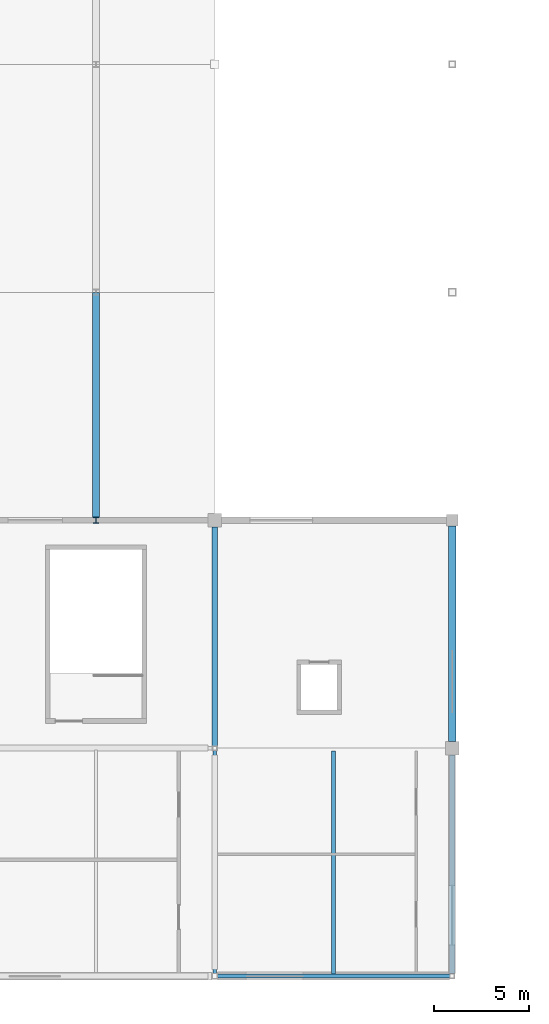
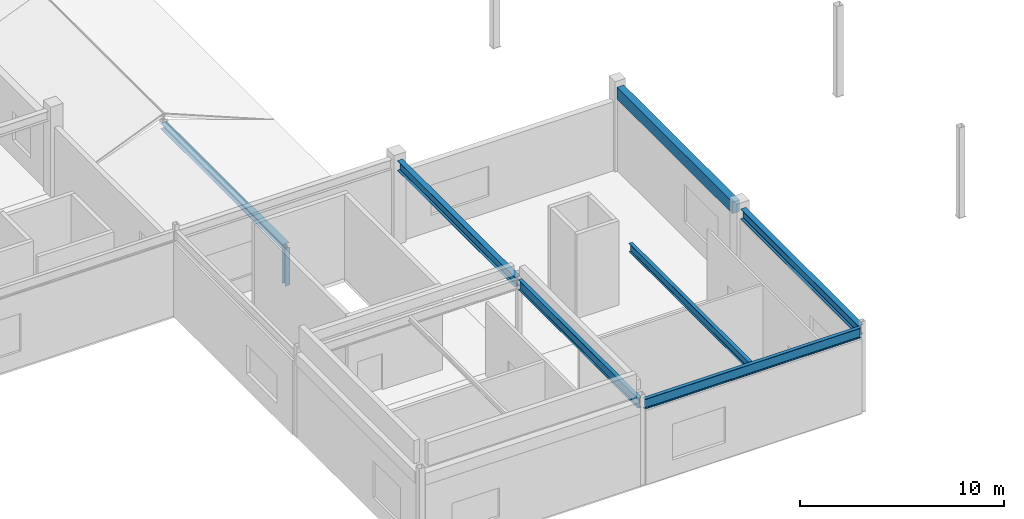
# One storey, part 26 of 76: 6 beams, 2 members.
"""IFC4 building model written with IfcOpenShell, lengths in metres."""

import ifcopenshell
import ifcopenshell.guid

model = None  # the IFC model being written
_history = None  # IfcOwnerHistory: only IFC2X3 demands one
_inside = {}  # id of a spatial element -> (the spatial element, [elements in it])
_under = {}  # id of a project, library or spatial element -> (it, [spatial elements below it])
_declared = {}  # id of a project -> (the project, [libraries it declares])
_typed = {}  # id of a type object -> (the type object, [elements of that type])
_made_of = {}  # id of a material, layer set ... -> (it, [elements and type objects made of it])


def new_model(schema):
    """Start an empty IFC model of exactly this schema.

    Asked for "IFC4X3", IfcOpenShell would pick the latest addendum, in which some entities
    have other attributes; the version numbers below select the first issue.
    IFC2X3 requires an IfcOwnerHistory on every rooted entity: one is made here for all.
    """
    global model, _history
    if schema == "IFC4X3":
        model = ifcopenshell.file(schema_version=(4, 3, 0, 0))
    else:
        model = ifcopenshell.file(schema=schema)
    _inside.clear()
    _under.clear()
    _declared.clear()
    _typed.clear()
    _made_of.clear()
    _history = None
    if model.schema == "IFC2X3":
        org = make("IfcOrganization", Name="unknown")
        user = make(
            "IfcPersonAndOrganization",
            ThePerson=make("IfcPerson", FamilyName="unknown"),
            TheOrganization=org,
        )
        app = make(
            "IfcApplication",
            ApplicationDeveloper=org,
            Version="unknown",
            ApplicationFullName="unknown",
            ApplicationIdentifier="unknown",
        )
        _history = make(
            "IfcOwnerHistory",
            OwningUser=user,
            OwningApplication=app,
            ChangeAction="ADDED",
            CreationDate=0,
        )
    return model


def make(cls, **values):
    """One entity of the class cls with the attributes given. An attribute that is None is left unset."""
    return model.create_entity(
        cls, **{name: value for name, value in values.items() if value is not None}
    )


def rooted(cls, **values):
    """An entity with a GlobalId (a new one), such as an element, a storey or a relation."""
    return make(cls, GlobalId=ifcopenshell.guid.new(), OwnerHistory=_history, **values)


def si_unit(unit_type, name, prefix=None):
    """IfcSIUnit, for example si_unit("LENGTHUNIT", "METRE", prefix="MILLI")."""
    return make("IfcSIUnit", UnitType=unit_type, Prefix=prefix, Name=name)


def assignment(units):
    """IfcUnitAssignment: the units of a project."""
    return None if units is None else make("IfcUnitAssignment", Units=units)


def point(xyz):
    """IfcCartesianPoint."""
    return None if xyz is None else make("IfcCartesianPoint", Coordinates=xyz)


def direction(xyz):
    """IfcDirection."""
    return None if xyz is None else make("IfcDirection", DirectionRatios=xyz)


def frame(location, z_axis=None, x_axis=None):
    """IfcAxis2Placement3D, a coordinate frame: its origin and axes. An axis left out is left unset."""
    return make(
        "IfcAxis2Placement3D",
        Location=point(location),
        Axis=direction(z_axis),
        RefDirection=direction(x_axis),
    )


def frame_2d(location, x_axis=None):
    """IfcAxis2Placement2D, a coordinate frame in the plane: its origin and x axis."""
    return make(
        "IfcAxis2Placement2D", Location=point(location), RefDirection=direction(x_axis)
    )


def origin():
    """The frame at (0, 0, 0) with its axes left unset."""
    return frame((0.0, 0.0, 0.0))


def origin_2d():
    """The frame at (0, 0) in the plane with its x axis left unset."""
    return frame_2d((0.0, 0.0))


def place(relative_to, where):
    """IfcLocalPlacement: puts the frame where relative to a parent placement (None: the world)."""
    return make(
        "IfcLocalPlacement", PlacementRelTo=relative_to, RelativePlacement=where
    )


def context(
    kind, dimensions, precision=None, world=None, true_north=None, identifier=None
):
    """IfcGeometricRepresentationContext, for example the 3D "Model" context."""
    return make(
        "IfcGeometricRepresentationContext",
        ContextIdentifier=identifier,
        ContextType=kind,
        CoordinateSpaceDimension=dimensions,
        Precision=precision,
        WorldCoordinateSystem=world,
        TrueNorth=true_north,
    )


def subcontext(parent, identifier, kind, view, scale=None):
    """IfcGeometricRepresentationSubContext, for example "Body" below "Model"."""
    return make(
        "IfcGeometricRepresentationSubContext",
        ContextIdentifier=identifier,
        ContextType=kind,
        ParentContext=parent,
        TargetScale=scale,
        TargetView=view,
    )


def project(units=None, contexts=None):
    """IfcProject with its units and contexts."""
    return rooted(
        "IfcProject",
        Name="project",
        RepresentationContexts=contexts,
        UnitsInContext=assignment(units),
    )


def spatial(cls, under=None, at=None, **own):
    """A site, building, storey or space (cls), placed at a placement, below another one or the project."""
    s = rooted(cls, ObjectPlacement=at, **own)
    if under is not None:
        _under.setdefault(under.id(), (under, []))[1].append(s)
    return s


def profile(cls, at=None, kind="AREA", **sizes):
    """A parametric profile (cls). Its sizes go by their IFC names, for example OverallWidth=200.0."""
    return make(cls, ProfileType=kind, Position=at, **sizes)


def rectangle(**sizes):
    """IfcRectangleProfileDef."""
    return profile("IfcRectangleProfileDef", **sizes)


def i_section(**sizes):
    """IfcIShapeProfileDef."""
    return profile("IfcIShapeProfileDef", **sizes)


def extrude(swept, where, along, depth):
    """IfcExtrudedAreaSolid: the profile swept, set in the frame where, extruded along a direction by depth."""
    return make(
        "IfcExtrudedAreaSolid",
        SweptArea=swept,
        Position=where,
        ExtrudedDirection=direction(along),
        Depth=depth,
    )


def shape(context_of_items, identifier, shape_type, items):
    """IfcShapeRepresentation: the items that make up one representation, for example the "Body"."""
    return make(
        "IfcShapeRepresentation",
        ContextOfItems=context_of_items,
        RepresentationIdentifier=identifier,
        RepresentationType=shape_type,
        Items=items,
    )


def material(Name=None, Category=None):
    """IfcMaterial."""
    return make("IfcMaterial", Name=Name, Category=Category)


def material_profile(
    of_material, cross_section, Name=None, Category=None, Priority=None
):
    """IfcMaterialProfile: a cross section and its material."""
    return make(
        "IfcMaterialProfile",
        Name=Name,
        Material=of_material,
        Profile=cross_section,
        Priority=Priority,
        Category=Category,
    )


def profile_set(profiles, Name=None, composite=None):
    """IfcMaterialProfileSet."""
    return make(
        "IfcMaterialProfileSet",
        Name=Name,
        MaterialProfiles=profiles,
        CompositeProfile=composite,
    )


def made_of(thing, what):
    """Note that an element or type object is made of a material, layer set ...; save() writes the relation."""
    if what is not None:
        _made_of.setdefault(what.id(), (what, []))[1].append(thing)
    return thing


def type_object(cls, material=None, **own):
    """A type object (cls), such as IfcWallType, which elements share."""
    return made_of(rooted(cls, **own), material)


def element(
    cls,
    number,
    at=None,
    inside=None,
    cuts=None,
    type_object=None,
    material=None,
    context=None,
    identifier="Body",
    shape_type=None,
    held_by="IfcProductDefinitionShape",
    body=None,
    shapes=None,
    **own,
):
    """One element of the class cls, such as IfcWall. Its Tag is "e" and its number.

    at: its placement. inside: the storey or other place that contains it. cuts: it is an
    opening in that element (IfcRelVoidsElement). A single representation is given by context,
    identifier, shape_type and body (its items); several are given by shapes. held_by: the class
    of the entity that holds the representations. save() writes the other relations.
    """
    e = rooted(cls, Tag="e%d" % number, ObjectPlacement=at, **own)
    if body is not None:
        shapes = [shape(context, identifier, shape_type, body)]
    if shapes is not None:
        e.Representation = make(held_by, Representations=shapes)
    if inside is not None:
        _inside.setdefault(inside.id(), (inside, []))[1].append(e)
    if cuts is not None:
        rooted(
            "IfcRelVoidsElement", RelatingBuildingElement=cuts, RelatedOpeningElement=e
        )
    if type_object is not None:
        _typed.setdefault(type_object.id(), (type_object, []))[1].append(e)
    return made_of(e, material)


def aggregate(whole, parts):
    """IfcRelAggregates: a whole, such as a stair, and the parts it consists of."""
    return rooted("IfcRelAggregates", RelatingObject=whole, RelatedObjects=parts)


def save(model, path):
    """Write the relations noted so far, then the file.

    IfcRelAggregates (storeys below a building ...), IfcRelContainedInSpatialStructure (elements
    in a storey), IfcRelDefinesByType, IfcRelAssociatesMaterial and IfcRelDeclares: one each for
    every whole, place, type object, material and project.
    """
    for whole, parts in _under.values():
        aggregate(whole, parts)
    for where, things in _inside.values():
        rooted(
            "IfcRelContainedInSpatialStructure",
            RelatedElements=things,
            RelatingStructure=where,
        )
    for kind, things in _typed.values():
        rooted("IfcRelDefinesByType", RelatedObjects=things, RelatingType=kind)
    for what, things in _made_of.values():
        rooted("IfcRelAssociatesMaterial", RelatedObjects=things, RelatingMaterial=what)
    for by, libraries in _declared.values():
        rooted("IfcRelDeclares", RelatingContext=by, RelatedDefinitions=libraries)
    model.write(path)


model = new_model("IFC4")

# Units and contexts
model_context = context("Model", 3, precision=1e-05, world=origin(), true_north=direction((0.0, 1.0)))
body_context = subcontext(model_context, "Body", "Model", "MODEL_VIEW")
ifc_project = project(units=[si_unit("LENGTHUNIT", "METRE"), si_unit("AREAUNIT", "SQUARE_METRE"), si_unit("VOLUMEUNIT", "CUBIC_METRE"), si_unit("PLANEANGLEUNIT", "RADIAN"), si_unit("MASSUNIT", "GRAM", prefix="KILO")], contexts=[model_context])

# Site, building, storey
site_placement = place(None, origin())
site = spatial("IfcSite", under=ifc_project, at=site_placement, CompositionType="ELEMENT")
building_placement = place(site_placement, origin())
building = spatial("IfcBuilding", under=site, at=building_placement, Name="Kazenohara Klinker Stadium", CompositionType="ELEMENT")
storey_placement = place(building_placement, frame((0.0, 0.0, 25.800048828125)))
storey = spatial("IfcBuildingStorey", under=building, at=storey_placement, Name="L05", CompositionType="ELEMENT", Elevation=25.800048828125)

# Beams
ifc_material_1 = material(Name="Steel S355", Category="steel")
ifc_material_profile_1 = material_profile(ifc_material_1, i_section(OverallWidth=0.199951171875, OverallDepth=0.5, WebThickness=0.010009765625, FlangeThickness=0.01611328125, FilletRadius=0.012939453125, at=origin_2d()), Name="H-500x200x10x16")
ifc_profile_set_1 = profile_set([ifc_material_profile_1], Name="Steel S355")
beam_type_1 = type_object("IfcBeamType", Name="BM-JST01", PredefinedType="JOIST", material=ifc_profile_set_1)
beam_1_placement = place(storey_placement, frame((42.75, 12.10009765625, 4.7900390625), z_axis=(0.0, 1.0, 0.0), x_axis=(-1.0, 0.0, 0.0)))
element("IfcBeam", 1, at=beam_1_placement, inside=storey, type_object=beam_type_1, Name="Secondary floor joist SJ01 L05 4/B", PredefinedType="JOIST", context=body_context, shape_type="SweptSolid", body=[
    extrude(i_section(OverallWidth=0.199951171875, OverallDepth=0.5, WebThickness=0.010009765625, FlangeThickness=0.01611328125, FilletRadius=0.012939453125, at=origin_2d()), origin(), (0.0, 0.0, 1.0), 11.75),
])
ifc_material_2 = material(Name="Concrete C40/50", Category="concrete")
ifc_material_profile_2 = material_profile(ifc_material_2, rectangle(XDim=0.39990234375, YDim=0.699951171875, at=origin_2d()), Name="RC-BM-400x700")
ifc_profile_set_2 = profile_set([ifc_material_profile_2], Name="Concrete C40/50")
beam_type_2 = type_object("IfcBeamType", Name="BM-RC04", PredefinedType="BEAM", material=ifc_profile_set_2)
beam_2_placement = place(storey_placement, frame((49.0, 24.35009765625, 4.68994140625), z_axis=(0.0, 1.0, 0.0), x_axis=(-1.0, 0.0, 0.0)))
element("IfcBeam", 2, at=beam_2_placement, inside=storey, type_object=beam_type_2, Name="Primary girder BG04 L05 5/C-D", PredefinedType="BEAM", context=body_context, shape_type="SweptSolid", body=[
    extrude(rectangle(XDim=0.39990234375, YDim=0.699951171875, at=origin_2d()), origin(), (0.0, 0.0, 1.0), 11.349853515625),
])
ifc_material_profile_3 = material_profile(ifc_material_1, i_section(OverallWidth=0.199951171875, OverallDepth=0.60009765625, WebThickness=0.010986328125, FlangeThickness=0.01708984375, FilletRadius=0.012939453125, at=origin_2d()), Name="H-600x200x11x17")
ifc_profile_set_3 = profile_set([ifc_material_profile_3], Name="Steel S355")
beam_type_3 = type_object("IfcBeamType", Name="BM-ST04", PredefinedType="BEAM", material=ifc_profile_set_3)
beam_3_placement = place(storey_placement, frame((36.64990234375, 12.0, 4.739990234375), z_axis=(1.0, 0.0, 0.0), x_axis=(0.0, 1.0, 0.0)))
element("IfcBeam", 3, at=beam_3_placement, inside=storey, type_object=beam_type_3, Name="Primary girder SB04 L05 4-5/B", PredefinedType="BEAM", context=body_context, shape_type="SweptSolid", body=[
    extrude(i_section(OverallWidth=0.199951171875, OverallDepth=0.60009765625, WebThickness=0.010986328125, FlangeThickness=0.01708984375, FilletRadius=0.012939453125, at=origin_2d()), origin(), (0.0, 0.0, 1.0), 12.22509765625),
])
beam_4_placement = place(storey_placement, frame((36.5, 12.14990234375, 4.739990234375), z_axis=(0.0, 1.0, 0.0), x_axis=(-1.0, 0.0, 0.0)))
element("IfcBeam", 4, at=beam_4_placement, inside=storey, type_object=beam_type_3, Name="Primary girder SB04 L05 4/B-C", PredefinedType="BEAM", context=body_context, shape_type="SweptSolid", body=[
    extrude(i_section(OverallWidth=0.199951171875, OverallDepth=0.60009765625, WebThickness=0.010986328125, FlangeThickness=0.01708984375, FilletRadius=0.012939453125, at=origin_2d()), origin(), (0.0, 0.0, 1.0), 11.72509765625),
])
ifc_material_profile_4 = material_profile(ifc_material_1, i_section(OverallWidth=0.300048828125, OverallDepth=0.587890625, WebThickness=0.011962890625, FlangeThickness=0.02001953125, FilletRadius=0.02197265625, at=origin_2d()), Name="H-588x300x12x20")
ifc_profile_set_4 = profile_set([ifc_material_profile_4], Name="Steel S355")
beam_type_4 = type_object("IfcBeamType", Name="BM-ST05", PredefinedType="BEAM", material=ifc_profile_set_4)
for number, where, z_axis, x_axis, name in (
    (5, (36.5, 24.125, 4.745849609375), (0.0, 1.0, 0.0), (-1.0, 0.0, 0.0), "Primary girder SB05 L05 4/C-D"),
    (6, (49.0, 12.125, 4.745849609375), (0.0, 1.0, 0.0), (-1.0, 0.0, 0.0), "Primary girder SB05 L05 5/B-C"),
):
    element("IfcBeam", number, at=place(storey_placement, frame(where, z_axis=z_axis, x_axis=x_axis)), inside=storey, type_object=beam_type_4, Name=name, PredefinedType="BEAM", context=body_context, shape_type="SweptSolid", body=[
        extrude(i_section(OverallWidth=0.300048828125, OverallDepth=0.587890625, WebThickness=0.011962890625, FlangeThickness=0.02001953125, FilletRadius=0.02197265625, at=origin_2d()), origin(), (0.0, 0.0, 1.0), 11.52490234375),
    ])

# Members
ifc_material_profile_5 = material_profile(ifc_material_1, i_section(OverallWidth=0.35009765625, OverallDepth=0.35009765625, WebThickness=0.011962890625, FlangeThickness=0.01904296875, FilletRadius=0.012939453125, at=origin_2d()), Name="H-350x350x12x19")
ifc_profile_set_5 = profile_set([ifc_material_profile_5], Name="Steel S355")
member_type_1 = type_object("IfcMemberType", Name="MEM-CHD02", PredefinedType="CHORD", material=ifc_profile_set_5)
member_1_placement = place(storey_placement, frame((30.25, 36.0, 1.829833984375), z_axis=(0.0, 1.0, 0.0), x_axis=(-1.0, 0.0, 0.0)))
element("IfcMember", 7, at=member_1_placement, inside=storey, type_object=member_type_1, Name="Stepped pavilion gable ridge beam L05 3/D", PredefinedType="CHORD", context=body_context, shape_type="SweptSolid", body=[
    extrude(i_section(OverallWidth=0.35009765625, OverallDepth=0.35009765625, WebThickness=0.011962890625, FlangeThickness=0.01904296875, FilletRadius=0.012939453125, at=origin_2d()), origin(), (0.0, 0.0, 1.0), 12.0),
])
ifc_material_profile_6 = material_profile(ifc_material_1, i_section(OverallWidth=0.300048828125, OverallDepth=0.300048828125, WebThickness=0.010009765625, FlangeThickness=0.014892578125, FilletRadius=0.012939453125, at=origin_2d()), Name="H-300x300x10x15")
ifc_profile_set_6 = profile_set([ifc_material_profile_6], Name="Steel S355")
member_type_2 = type_object("IfcMemberType", Name="MEM-STR01", PredefinedType="STRUT", material=ifc_profile_set_6)
member_2_placement = place(storey_placement, frame((30.25, 36.0, -0.429931640625), z_axis=(0.0, 0.0, 1.0), x_axis=(1.0, 0.0, 0.0)))
element("IfcMember", 8, at=member_2_placement, inside=storey, type_object=member_type_2, Name="Stepped pavilion gable king-post L05 3/D S", PredefinedType="STRUT", context=body_context, shape_type="SweptSolid", body=[
    extrude(i_section(OverallWidth=0.300048828125, OverallDepth=0.300048828125, WebThickness=0.010009765625, FlangeThickness=0.014892578125, FilletRadius=0.012939453125, at=origin_2d()), origin(), (0.0, 0.0, 1.0), 2.259765625),
])

save(model, "model.ifc")
